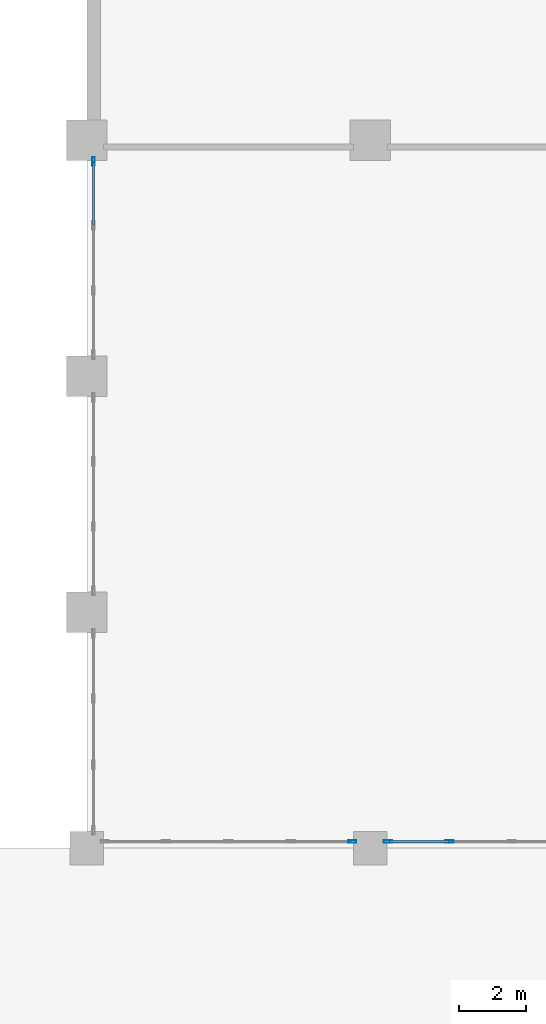
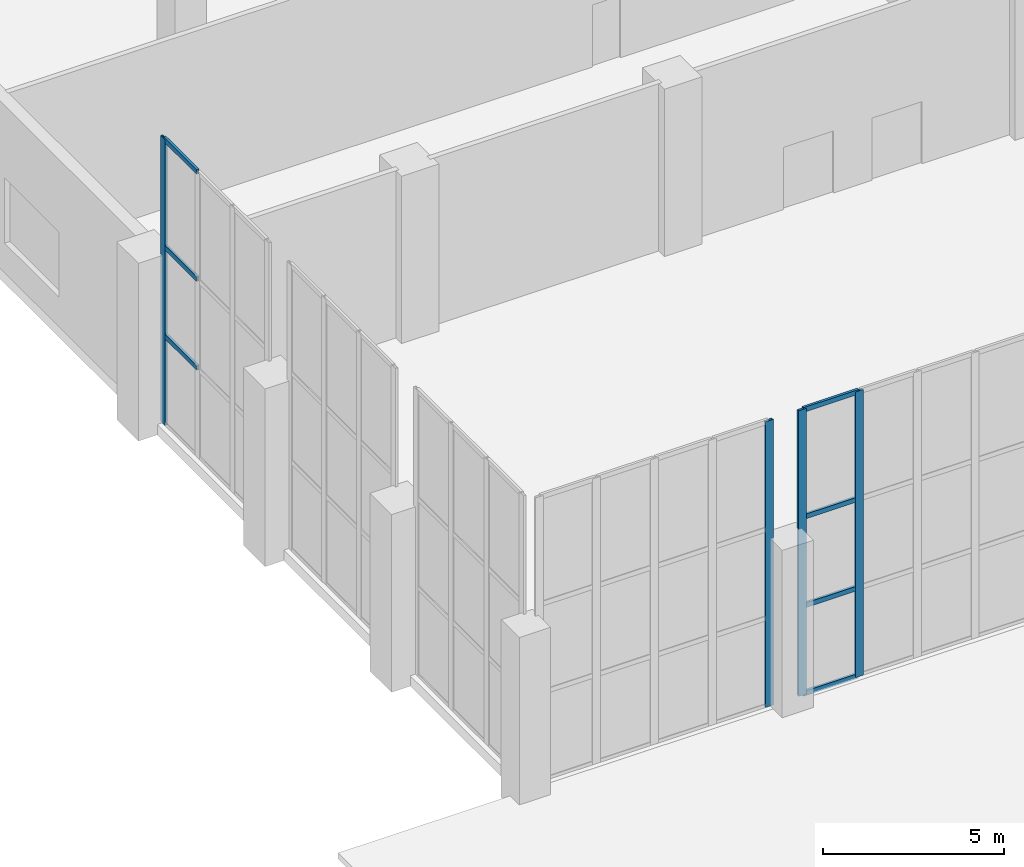
# One storey, part 4 of 25: 11 members, 3 elements without a shape of their own.
"""IFC4 building model written with IfcOpenShell, lengths in metres."""

from ifc_helpers import new_model, si_unit, direction, frame, origin, origin_2d, place, context, subcontext, project, spatial, hollow_rectangle, extrude, material, material_profile, profile_set, type_object, element, aggregate, save


model = new_model("IFC4")

# Units and contexts
model_context = context("Model", 3, precision=1e-05, world=origin(), true_north=direction((0.0, 1.0)))
body_context = subcontext(model_context, "Body", "Model", "MODEL_VIEW")
ifc_project = project(units=[si_unit("LENGTHUNIT", "METRE"), si_unit("AREAUNIT", "SQUARE_METRE"), si_unit("VOLUMEUNIT", "CUBIC_METRE"), si_unit("PLANEANGLEUNIT", "RADIAN"), si_unit("MASSUNIT", "GRAM", prefix="KILO")], contexts=[model_context])

# Site, building, storey
site_placement = place(None, origin())
site = spatial("IfcSite", under=ifc_project, at=site_placement, CompositionType="ELEMENT")
building_placement = place(site_placement, origin())
building = spatial("IfcBuilding", under=site, at=building_placement, Name="Ostrander Bayou Hotel Tower", CompositionType="ELEMENT")
storey_placement = place(building_placement, origin())
storey = spatial("IfcBuildingStorey", under=building, at=storey_placement, Name="L00", CompositionType="ELEMENT", Elevation=0.0)

# Curtain wall, members
ifc_material_1 = material(Name="Aluminium and clear glass", Category="aluminium")
curtain_wall_type = type_object("IfcCurtainWallType", Name="CW-BALL glazed wall", PredefinedType="NOTDEFINED", material=ifc_material_1)
curtain_wall_1_placement = place(storey_placement, origin())
curtain_wall_1 = element("IfcCurtainWall", 1, at=curtain_wall_1_placement, inside=storey, type_object=curtain_wall_type, Name="CW-BALL L00:7", PredefinedType="NOTDEFINED")
ifc_material_2 = material(Name="Aluminium", Category="aluminium")
ifc_material_profile_1 = material_profile(ifc_material_2, hollow_rectangle(XDim=0.080078125, YDim=0.25, WallThickness=0.00390625, at=origin_2d()))
ifc_profile_set_1 = profile_set([ifc_material_profile_1], Name="Aluminium")
member_type_1 = type_object("IfcMemberType", Name="CW-BL mullion 80 x 250 mm", PredefinedType="MULLION", material=ifc_profile_set_1)
member_1_placement = place(storey_placement, frame((-31.25, -50.199951171875, 0.0), z_axis=(0.0, 0.0, 1.0), x_axis=(0.0, -1.0, 0.0)))
member_1 = element("IfcMember", 2, at=member_1_placement, type_object=member_type_1, Name="CW-BALL mullion 4", PredefinedType="MULLION", context=body_context, shape_type="SweptSolid", body=[
    extrude(hollow_rectangle(XDim=0.080078125, YDim=0.25, WallThickness=0.00390625, at=origin_2d()), origin(), (0.0, 0.0, 1.0), 9.64990234375),
])
member_2_placement = place(storey_placement, frame((-33.070068359375, -50.199951171875, 0.0), z_axis=(0.0, 0.0, 1.0), x_axis=(0.0, -1.0, 0.0)))
member_2 = element("IfcMember", 3, at=member_2_placement, type_object=member_type_1, Name="CW-BALL mullion 5", PredefinedType="MULLION", context=body_context, shape_type="SweptSolid", body=[
    extrude(hollow_rectangle(XDim=0.080078125, YDim=0.25, WallThickness=0.00390625, at=origin_2d()), origin(), (0.0, 0.0, 1.0), 9.64990234375),
])

# Curtain wall, member
curtain_wall_2_placement = place(storey_placement, origin())
curtain_wall_2 = element("IfcCurtainWall", 4, at=curtain_wall_2_placement, inside=storey, type_object=curtain_wall_type, Name="CW-BALL L00:8", PredefinedType="NOTDEFINED")
member_3_placement = place(storey_placement, frame((-34.1298828125, -50.199951171875, 0.0), z_axis=(0.0, 0.0, 1.0), x_axis=(0.0, -1.0, 0.0)))
member_3 = element("IfcMember", 5, at=member_3_placement, type_object=member_type_1, Name="CW-BALL mullion 1", PredefinedType="MULLION", context=body_context, shape_type="SweptSolid", body=[
    extrude(hollow_rectangle(XDim=0.080078125, YDim=0.25, WallThickness=0.00390625, at=origin_2d()), origin(), (0.0, 0.0, 1.0), 9.64990234375),
])
aggregate(curtain_wall_2, [member_3])

curtain_wall_3_placement = place(storey_placement, origin())
curtain_wall_3 = element("IfcCurtainWall", 6, at=curtain_wall_3_placement, inside=storey, type_object=curtain_wall_type, Name="CW-BALL L00:31", PredefinedType="NOTDEFINED")
member_4_placement = place(storey_placement, frame((-41.800048828125, -30.030029296875, 0.0), z_axis=(0.0, 0.0, 1.0), x_axis=(-1.0, 0.0, 0.0)))
member_4 = element("IfcMember", 7, at=member_4_placement, type_object=member_type_1, Name="CW-BALL mullion 4", PredefinedType="MULLION", context=body_context, shape_type="SweptSolid", body=[
    extrude(hollow_rectangle(XDim=0.080078125, YDim=0.25, WallThickness=0.00390625, at=origin_2d()), origin(), (0.0, 0.0, 1.0), 9.64990234375),
])

# Member
ifc_material_3 = material(Name="Aluminium", Category="aluminium")
ifc_material_profile_2 = material_profile(ifc_material_3, hollow_rectangle(XDim=0.080078125, YDim=0.159912109375, WallThickness=0.00390625, at=origin_2d()))
ifc_profile_set_2 = profile_set([ifc_material_profile_2], Name="Aluminium")
member_type_2 = type_object("IfcMemberType", Name="CW-BL transom 80 x 160 mm", PredefinedType="USERDEFINED", material=ifc_profile_set_2)
member_5_placement = place(storey_placement, frame((-31.280029296875, -50.199951171875, 0.030029296875), z_axis=(-1.0, 0.0, 0.0), x_axis=(0.0, -1.0, 0.0)))
member_5 = element("IfcMember", 8, at=member_5_placement, type_object=member_type_2, Name="CW-BALL transom 4.1", ObjectType="TRANSOM", PredefinedType="USERDEFINED", context=body_context, shape_type="SweptSolid", body=[
    extrude(hollow_rectangle(XDim=0.080078125, YDim=0.159912109375, WallThickness=0.00390625, at=origin_2d()), origin(), (0.0, 0.0, 1.0), 1.760009765625),
])

member_6_placement = place(storey_placement, frame((-31.280029296875, -50.199951171875, 3.0), z_axis=(-1.0, 0.0, 0.0), x_axis=(0.0, -1.0, 0.0)))
member_6 = element("IfcMember", 9, at=member_6_placement, type_object=member_type_2, Name="CW-BALL transom 4.2", ObjectType="TRANSOM", PredefinedType="USERDEFINED", context=body_context, shape_type="SweptSolid", body=[
    extrude(hollow_rectangle(XDim=0.080078125, YDim=0.159912109375, WallThickness=0.00390625, at=origin_2d()), origin(), (0.0, 0.0, 1.0), 1.760009765625),
])

member_7_placement = place(storey_placement, frame((-31.280029296875, -50.199951171875, 6.0), z_axis=(-1.0, 0.0, 0.0), x_axis=(0.0, -1.0, 0.0)))
member_7 = element("IfcMember", 10, at=member_7_placement, type_object=member_type_2, Name="CW-BALL transom 4.3", ObjectType="TRANSOM", PredefinedType="USERDEFINED", context=body_context, shape_type="SweptSolid", body=[
    extrude(hollow_rectangle(XDim=0.080078125, YDim=0.159912109375, WallThickness=0.00390625, at=origin_2d()), origin(), (0.0, 0.0, 1.0), 1.760009765625),
])

member_8_placement = place(storey_placement, frame((-31.280029296875, -50.199951171875, 9.6201171875), z_axis=(-1.0, 0.0, 0.0), x_axis=(0.0, -1.0, 0.0)))
member_8 = element("IfcMember", 11, at=member_8_placement, type_object=member_type_2, Name="CW-BALL transom 4.4", ObjectType="TRANSOM", PredefinedType="USERDEFINED", context=body_context, shape_type="SweptSolid", body=[
    extrude(hollow_rectangle(XDim=0.080078125, YDim=0.159912109375, WallThickness=0.00390625, at=origin_2d()), origin(), (0.0, 0.0, 1.0), 1.760009765625),
])

aggregate(curtain_wall_1, [member_1, member_2, member_5, member_6, member_7, member_8])

member_9_placement = place(storey_placement, frame((-41.800048828125, -31.9033203125, 3.0), z_axis=(0.0, 1.0, 0.0), x_axis=(-1.0, 0.0, 0.0)))
member_9 = element("IfcMember", 12, at=member_9_placement, type_object=member_type_2, Name="CW-BALL transom 3.2", ObjectType="TRANSOM", PredefinedType="USERDEFINED", context=body_context, shape_type="SweptSolid", body=[
    extrude(hollow_rectangle(XDim=0.080078125, YDim=0.159912109375, WallThickness=0.00390625, at=origin_2d()), origin(), (0.0, 0.0, 1.0), 1.84326171875),
])

member_10_placement = place(storey_placement, frame((-41.800048828125, -31.9033203125, 6.0), z_axis=(0.0, 1.0, 0.0), x_axis=(-1.0, 0.0, 0.0)))
member_10 = element("IfcMember", 13, at=member_10_placement, type_object=member_type_2, Name="CW-BALL transom 3.3", ObjectType="TRANSOM", PredefinedType="USERDEFINED", context=body_context, shape_type="SweptSolid", body=[
    extrude(hollow_rectangle(XDim=0.080078125, YDim=0.159912109375, WallThickness=0.00390625, at=origin_2d()), origin(), (0.0, 0.0, 1.0), 1.84326171875),
])

member_11_placement = place(storey_placement, frame((-41.800048828125, -31.9033203125, 9.6201171875), z_axis=(0.0, 1.0, 0.0), x_axis=(-1.0, 0.0, 0.0)))
member_11 = element("IfcMember", 14, at=member_11_placement, type_object=member_type_2, Name="CW-BALL transom 3.4", ObjectType="TRANSOM", PredefinedType="USERDEFINED", context=body_context, shape_type="SweptSolid", body=[
    extrude(hollow_rectangle(XDim=0.080078125, YDim=0.159912109375, WallThickness=0.00390625, at=origin_2d()), origin(), (0.0, 0.0, 1.0), 1.84326171875),
])

aggregate(curtain_wall_3, [member_4, member_9, member_10, member_11])

save(model, "model.ifc")
